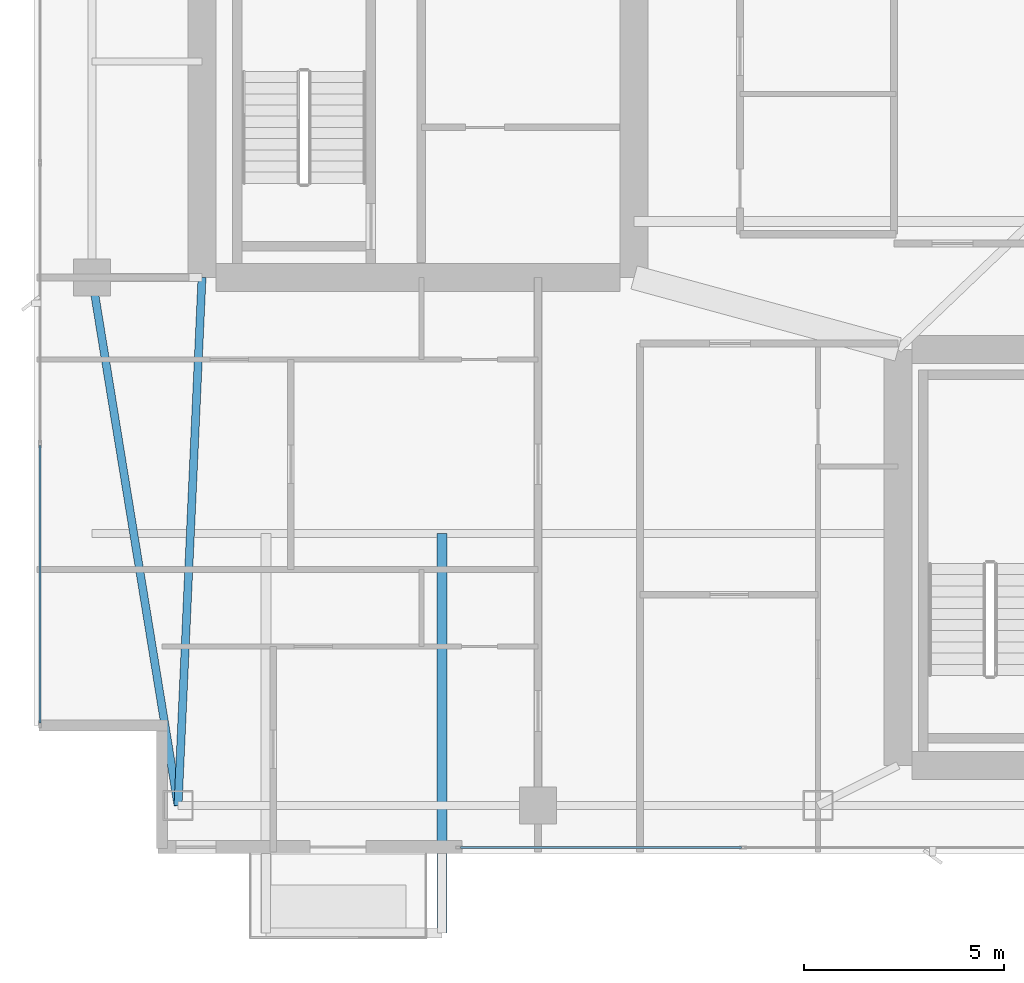
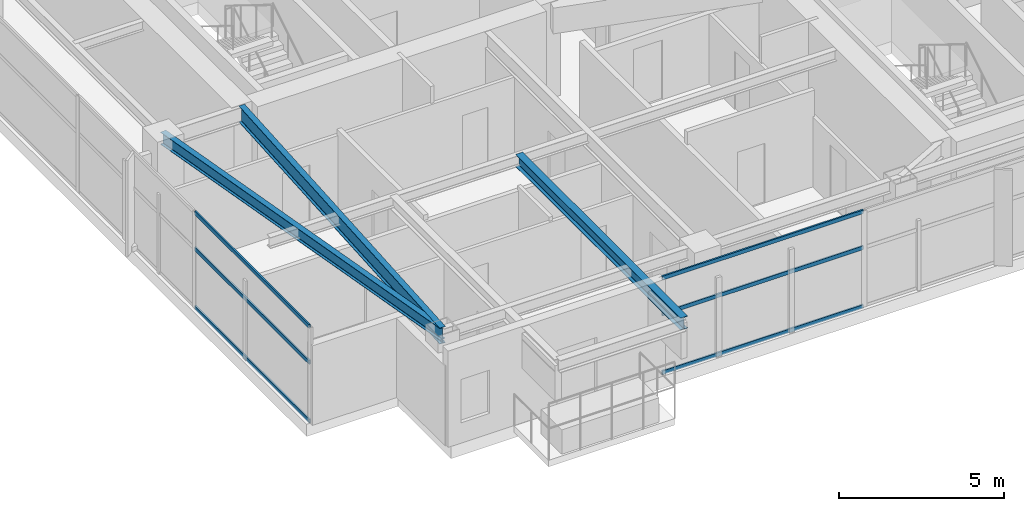
# One storey, part 3 of 28: 6 members, 3 beams, 2 elements without a shape of their own.
"""IFC4 building model written with IfcOpenShell, lengths in metres."""

import ifcopenshell
import ifcopenshell.guid

model = None  # the IFC model being written
_history = None  # IfcOwnerHistory: only IFC2X3 demands one
_inside = {}  # id of a spatial element -> (the spatial element, [elements in it])
_under = {}  # id of a project, library or spatial element -> (it, [spatial elements below it])
_declared = {}  # id of a project -> (the project, [libraries it declares])
_typed = {}  # id of a type object -> (the type object, [elements of that type])
_made_of = {}  # id of a material, layer set ... -> (it, [elements and type objects made of it])


def new_model(schema):
    """Start an empty IFC model of exactly this schema.

    Asked for "IFC4X3", IfcOpenShell would pick the latest addendum, in which some entities
    have other attributes; the version numbers below select the first issue.
    IFC2X3 requires an IfcOwnerHistory on every rooted entity: one is made here for all.
    """
    global model, _history
    if schema == "IFC4X3":
        model = ifcopenshell.file(schema_version=(4, 3, 0, 0))
    else:
        model = ifcopenshell.file(schema=schema)
    _inside.clear()
    _under.clear()
    _declared.clear()
    _typed.clear()
    _made_of.clear()
    _history = None
    if model.schema == "IFC2X3":
        org = make("IfcOrganization", Name="unknown")
        user = make(
            "IfcPersonAndOrganization",
            ThePerson=make("IfcPerson", FamilyName="unknown"),
            TheOrganization=org,
        )
        app = make(
            "IfcApplication",
            ApplicationDeveloper=org,
            Version="unknown",
            ApplicationFullName="unknown",
            ApplicationIdentifier="unknown",
        )
        _history = make(
            "IfcOwnerHistory",
            OwningUser=user,
            OwningApplication=app,
            ChangeAction="ADDED",
            CreationDate=0,
        )
    return model


def make(cls, **values):
    """One entity of the class cls with the attributes given. An attribute that is None is left unset."""
    return model.create_entity(
        cls, **{name: value for name, value in values.items() if value is not None}
    )


def rooted(cls, **values):
    """An entity with a GlobalId (a new one), such as an element, a storey or a relation."""
    return make(cls, GlobalId=ifcopenshell.guid.new(), OwnerHistory=_history, **values)


def si_unit(unit_type, name, prefix=None):
    """IfcSIUnit, for example si_unit("LENGTHUNIT", "METRE", prefix="MILLI")."""
    return make("IfcSIUnit", UnitType=unit_type, Prefix=prefix, Name=name)


def assignment(units):
    """IfcUnitAssignment: the units of a project."""
    return None if units is None else make("IfcUnitAssignment", Units=units)


def point(xyz):
    """IfcCartesianPoint."""
    return None if xyz is None else make("IfcCartesianPoint", Coordinates=xyz)


def direction(xyz):
    """IfcDirection."""
    return None if xyz is None else make("IfcDirection", DirectionRatios=xyz)


def frame(location, z_axis=None, x_axis=None):
    """IfcAxis2Placement3D, a coordinate frame: its origin and axes. An axis left out is left unset."""
    return make(
        "IfcAxis2Placement3D",
        Location=point(location),
        Axis=direction(z_axis),
        RefDirection=direction(x_axis),
    )


def frame_2d(location, x_axis=None):
    """IfcAxis2Placement2D, a coordinate frame in the plane: its origin and x axis."""
    return make(
        "IfcAxis2Placement2D", Location=point(location), RefDirection=direction(x_axis)
    )


def origin():
    """The frame at (0, 0, 0) with its axes left unset."""
    return frame((0.0, 0.0, 0.0))


def origin_2d():
    """The frame at (0, 0) in the plane with its x axis left unset."""
    return frame_2d((0.0, 0.0))


def place(relative_to, where):
    """IfcLocalPlacement: puts the frame where relative to a parent placement (None: the world)."""
    return make(
        "IfcLocalPlacement", PlacementRelTo=relative_to, RelativePlacement=where
    )


def context(
    kind, dimensions, precision=None, world=None, true_north=None, identifier=None
):
    """IfcGeometricRepresentationContext, for example the 3D "Model" context."""
    return make(
        "IfcGeometricRepresentationContext",
        ContextIdentifier=identifier,
        ContextType=kind,
        CoordinateSpaceDimension=dimensions,
        Precision=precision,
        WorldCoordinateSystem=world,
        TrueNorth=true_north,
    )


def subcontext(parent, identifier, kind, view, scale=None):
    """IfcGeometricRepresentationSubContext, for example "Body" below "Model"."""
    return make(
        "IfcGeometricRepresentationSubContext",
        ContextIdentifier=identifier,
        ContextType=kind,
        ParentContext=parent,
        TargetScale=scale,
        TargetView=view,
    )


def project(units=None, contexts=None):
    """IfcProject with its units and contexts."""
    return rooted(
        "IfcProject",
        Name="project",
        RepresentationContexts=contexts,
        UnitsInContext=assignment(units),
    )


def spatial(cls, under=None, at=None, **own):
    """A site, building, storey or space (cls), placed at a placement, below another one or the project."""
    s = rooted(cls, ObjectPlacement=at, **own)
    if under is not None:
        _under.setdefault(under.id(), (under, []))[1].append(s)
    return s


def profile(cls, at=None, kind="AREA", **sizes):
    """A parametric profile (cls). Its sizes go by their IFC names, for example OverallWidth=200.0."""
    return make(cls, ProfileType=kind, Position=at, **sizes)


def hollow_rectangle(**sizes):
    """IfcRectangleHollowProfileDef."""
    return profile("IfcRectangleHollowProfileDef", **sizes)


def i_section(**sizes):
    """IfcIShapeProfileDef."""
    return profile("IfcIShapeProfileDef", **sizes)


def extrude(swept, where, along, depth):
    """IfcExtrudedAreaSolid: the profile swept, set in the frame where, extruded along a direction by depth."""
    return make(
        "IfcExtrudedAreaSolid",
        SweptArea=swept,
        Position=where,
        ExtrudedDirection=direction(along),
        Depth=depth,
    )


def shape(context_of_items, identifier, shape_type, items):
    """IfcShapeRepresentation: the items that make up one representation, for example the "Body"."""
    return make(
        "IfcShapeRepresentation",
        ContextOfItems=context_of_items,
        RepresentationIdentifier=identifier,
        RepresentationType=shape_type,
        Items=items,
    )


def material(Name=None, Category=None):
    """IfcMaterial."""
    return make("IfcMaterial", Name=Name, Category=Category)


def layer(
    of_material, thickness, ventilated=None, Name=None, Category=None, Priority=None
):
    """IfcMaterialLayer: one layer of a wall or slab, of a material (None: an air gap)."""
    return make(
        "IfcMaterialLayer",
        Material=of_material,
        LayerThickness=thickness,
        IsVentilated=ventilated,
        Name=Name,
        Category=Category,
        Priority=Priority,
    )


def layer_set(layers, Name=None):
    """IfcMaterialLayerSet."""
    return make("IfcMaterialLayerSet", MaterialLayers=layers, LayerSetName=Name)


def material_profile(
    of_material, cross_section, Name=None, Category=None, Priority=None
):
    """IfcMaterialProfile: a cross section and its material."""
    return make(
        "IfcMaterialProfile",
        Name=Name,
        Material=of_material,
        Profile=cross_section,
        Priority=Priority,
        Category=Category,
    )


def profile_set(profiles, Name=None, composite=None):
    """IfcMaterialProfileSet."""
    return make(
        "IfcMaterialProfileSet",
        Name=Name,
        MaterialProfiles=profiles,
        CompositeProfile=composite,
    )


def made_of(thing, what):
    """Note that an element or type object is made of a material, layer set ...; save() writes the relation."""
    if what is not None:
        _made_of.setdefault(what.id(), (what, []))[1].append(thing)
    return thing


def type_object(cls, material=None, **own):
    """A type object (cls), such as IfcWallType, which elements share."""
    return made_of(rooted(cls, **own), material)


def element(
    cls,
    number,
    at=None,
    inside=None,
    cuts=None,
    type_object=None,
    material=None,
    context=None,
    identifier="Body",
    shape_type=None,
    held_by="IfcProductDefinitionShape",
    body=None,
    shapes=None,
    **own,
):
    """One element of the class cls, such as IfcWall. Its Tag is "e" and its number.

    at: its placement. inside: the storey or other place that contains it. cuts: it is an
    opening in that element (IfcRelVoidsElement). A single representation is given by context,
    identifier, shape_type and body (its items); several are given by shapes. held_by: the class
    of the entity that holds the representations. save() writes the other relations.
    """
    e = rooted(cls, Tag="e%d" % number, ObjectPlacement=at, **own)
    if body is not None:
        shapes = [shape(context, identifier, shape_type, body)]
    if shapes is not None:
        e.Representation = make(held_by, Representations=shapes)
    if inside is not None:
        _inside.setdefault(inside.id(), (inside, []))[1].append(e)
    if cuts is not None:
        rooted(
            "IfcRelVoidsElement", RelatingBuildingElement=cuts, RelatedOpeningElement=e
        )
    if type_object is not None:
        _typed.setdefault(type_object.id(), (type_object, []))[1].append(e)
    return made_of(e, material)


def aggregate(whole, parts):
    """IfcRelAggregates: a whole, such as a stair, and the parts it consists of."""
    return rooted("IfcRelAggregates", RelatingObject=whole, RelatedObjects=parts)


def save(model, path):
    """Write the relations noted so far, then the file.

    IfcRelAggregates (storeys below a building ...), IfcRelContainedInSpatialStructure (elements
    in a storey), IfcRelDefinesByType, IfcRelAssociatesMaterial and IfcRelDeclares: one each for
    every whole, place, type object, material and project.
    """
    for whole, parts in _under.values():
        aggregate(whole, parts)
    for where, things in _inside.values():
        rooted(
            "IfcRelContainedInSpatialStructure",
            RelatedElements=things,
            RelatingStructure=where,
        )
    for kind, things in _typed.values():
        rooted("IfcRelDefinesByType", RelatedObjects=things, RelatingType=kind)
    for what, things in _made_of.values():
        rooted("IfcRelAssociatesMaterial", RelatedObjects=things, RelatingMaterial=what)
    for by, libraries in _declared.values():
        rooted("IfcRelDeclares", RelatingContext=by, RelatedDefinitions=libraries)
    model.write(path)


model = new_model("IFC4")

# Units and contexts
model_context = context("Model", 3, precision=1e-05, world=origin(), true_north=direction((0.0, 1.0)))
body_context = subcontext(model_context, "Body", "Model", "MODEL_VIEW")
ifc_project = project(units=[si_unit("LENGTHUNIT", "METRE"), si_unit("AREAUNIT", "SQUARE_METRE"), si_unit("VOLUMEUNIT", "CUBIC_METRE"), si_unit("PLANEANGLEUNIT", "RADIAN"), si_unit("MASSUNIT", "GRAM", prefix="KILO")], contexts=[model_context])

# Site, building, storey
site_placement = place(None, origin())
site = spatial("IfcSite", under=ifc_project, at=site_placement, CompositionType="ELEMENT")
building_placement = place(site_placement, origin())
building = spatial("IfcBuilding", under=site, at=building_placement, Name="Calvorn Quay Hotel", CompositionType="ELEMENT")
storey_placement = place(building_placement, frame((0.0, 0.0, 219.300048828125)))
storey = spatial("IfcBuildingStorey", under=building, at=storey_placement, Name="L54", CompositionType="ELEMENT", Elevation=219.300048828125)

# Beams
ifc_material_1 = material(Name="Steel Q355B", Category="steel")
ifc_material_profile_1 = material_profile(ifc_material_1, i_section(OverallWidth=0.25, OverallDepth=0.449951171875, WebThickness=0.011962890625, FlangeThickness=0.01611328125, FilletRadius=0.01611328125, at=origin_2d()), Name="HN450x250x12x16")
ifc_profile_set_1 = profile_set([ifc_material_profile_1], Name="Steel Q355B")
beam_type_1 = type_object("IfcBeamType", Name="BM-CANT-BALC", PredefinedType="BEAM", material=ifc_profile_set_1)
beam_1_placement = place(storey_placement, frame((10.199951171875, 10.39990234375, 3.31494140625), z_axis=(0.0, -1.0, 0.0), x_axis=(1.0, 0.0, 0.0)))
element("IfcBeam", 1, at=beam_1_placement, inside=storey, type_object=beam_type_1, Name="Cantilever Balcony Beam BCB-L55-2B", PredefinedType="BEAM", context=body_context, shape_type="SweptSolid", body=[
    extrude(i_section(OverallWidth=0.25, OverallDepth=0.449951171875, WebThickness=0.011962890625, FlangeThickness=0.01611328125, FilletRadius=0.01611328125, at=origin_2d()), origin(), (0.0, 0.0, 1.0), 9.989990234375),
])
ifc_material_2 = material(Name="Steel Q355B", Category="steel")
ifc_material_profile_2 = material_profile(ifc_material_2, i_section(OverallWidth=0.199951171875, OverallDepth=0.60009765625, WebThickness=0.010986328125, FlangeThickness=0.01708984375, FilletRadius=0.01806640625, at=origin_2d()), Name="HN600x200x11x17")
ifc_profile_set_2 = profile_set([ifc_material_profile_2], Name="Steel Q355B")
beam_type_2 = type_object("IfcBeamType", Name="BM-GIRD-TYP", PredefinedType="BEAM", material=ifc_profile_set_2)
beam_2_placement = place(storey_placement, frame((3.60009765625, 3.60009765625, 3.239990234375), z_axis=(0.045396765494, 0.998969035397, 0.0), x_axis=(-0.998969035397, 0.045396765494, 0.0)))
element("IfcBeam", 2, at=beam_2_placement, inside=storey, type_object=beam_type_2, Name="Beam BG-L54-W0", PredefinedType="BEAM", context=body_context, shape_type="SweptSolid", body=[
    extrude(i_section(OverallWidth=0.199951171875, OverallDepth=0.60009765625, WebThickness=0.010986328125, FlangeThickness=0.01708984375, FilletRadius=0.01806640625, at=origin_2d()), origin(), (0.0, 0.0, 1.0), 13.213623046875),
])
ifc_material_3 = material(Name="Steel Q355B", Category="steel")
ifc_material_profile_3 = material_profile(ifc_material_3, i_section(OverallWidth=0.199951171875, OverallDepth=0.449951171875, WebThickness=0.009033203125, FlangeThickness=0.013916015625, FilletRadius=0.01611328125, at=origin_2d()), Name="HN450x200x9x14")
ifc_profile_set_3 = profile_set([ifc_material_profile_3], Name="Steel Q355B")
beam_type_3 = type_object("IfcBeamType", Name="BM-SPANDREL-Z3", PredefinedType="SPANDREL", material=ifc_profile_set_3)
beam_3_placement = place(storey_placement, frame((3.60009765625, 3.60009765625, 3.31494140625), z_axis=(-0.16077155054, 0.986991645627, 0.0), x_axis=(-0.986991645627, -0.16077155054, 0.0)))
element("IfcBeam", 3, at=beam_3_placement, inside=storey, type_object=beam_type_3, Name="Beam BSP-L54-W1", PredefinedType="SPANDREL", context=body_context, shape_type="SweptSolid", body=[
    extrude(i_section(OverallWidth=0.199951171875, OverallDepth=0.449951171875, WebThickness=0.009033203125, FlangeThickness=0.013916015625, FilletRadius=0.01611328125, at=origin_2d()), origin(), (0.0, 0.0, 1.0), 13.3740234375),
])

# Curtain wall, members
ifc_material_4 = material(Name="Champagne Bronze Anodised Aluminium and Low-E Glass", Category="aluminium")
ifc_layer = layer(ifc_material_4, 0.219970703125)
ifc_layer_set = layer_set([ifc_layer], Name="CW-SYS-Z3")
curtain_wall_type = type_object("IfcCurtainWallType", Name="CW-SYS-Z3", PredefinedType="NOTDEFINED", material=ifc_layer_set)
curtain_wall_1_placement = place(storey_placement, origin())
curtain_wall_1 = element("IfcCurtainWall", 4, at=curtain_wall_1_placement, inside=storey, type_object=curtain_wall_type, Name="Tower West Curtain Wall (L54)", PredefinedType="NOTDEFINED")
ifc_material_5 = material(Name="Champagne Bronze Anodised Aluminium 6063-T6", Category="aluminium")
ifc_material_profile_4 = material_profile(ifc_material_5, hollow_rectangle(XDim=0.05810546875, YDim=0.139892578125, WallThickness=0.003173828125, at=origin_2d()), Name="ALU-T140x58x3.2")
ifc_profile_set_4 = profile_set([ifc_material_profile_4], Name="Champagne Bronze Anodised Aluminium 6063-T6")
member_type = type_object("IfcMemberType", Name="CW-SYS-Z3-TRN", PredefinedType="USERDEFINED", material=ifc_profile_set_4)
member_1_placement = place(storey_placement, frame((0.14990234375, 5.659912109375, 0.030029296875), z_axis=(0.0, 1.0, 0.0), x_axis=(-1.0, 0.0, 0.0)))
member_1 = element("IfcMember", 5, at=member_1_placement, type_object=member_type, Name="CW-L54-W transom 1.1", ObjectType="TRANSOM", PredefinedType="USERDEFINED", context=body_context, shape_type="SweptSolid", body=[
    extrude(hollow_rectangle(XDim=0.05810546875, YDim=0.139892578125, WallThickness=0.003173828125, at=origin_2d()), origin(), (0.0, 0.0, 1.0), 6.943359375),
])
member_2_placement = place(storey_placement, frame((0.14990234375, 5.659912109375, 2.199951171875), z_axis=(0.0, 1.0, 0.0), x_axis=(-1.0, 0.0, 0.0)))
member_2 = element("IfcMember", 6, at=member_2_placement, type_object=member_type, Name="CW-L54-W transom 1.2", ObjectType="TRANSOM", PredefinedType="USERDEFINED", context=body_context, shape_type="SweptSolid", body=[
    extrude(hollow_rectangle(XDim=0.05810546875, YDim=0.139892578125, WallThickness=0.003173828125, at=origin_2d()), origin(), (0.0, 0.0, 1.0), 6.943359375),
])
member_3_placement = place(storey_placement, frame((0.14990234375, 5.659912109375, 3.530029296875), z_axis=(0.0, 1.0, 0.0), x_axis=(-1.0, 0.0, 0.0)))
member_3 = element("IfcMember", 7, at=member_3_placement, type_object=member_type, Name="CW-L54-W transom 1.3", ObjectType="TRANSOM", PredefinedType="USERDEFINED", context=body_context, shape_type="SweptSolid", body=[
    extrude(hollow_rectangle(XDim=0.05810546875, YDim=0.139892578125, WallThickness=0.003173828125, at=origin_2d()), origin(), (0.0, 0.0, 1.0), 6.943359375),
])
aggregate(curtain_wall_1, [member_1, member_2, member_3])

curtain_wall_2_placement = place(storey_placement, origin())
curtain_wall_2 = element("IfcCurtainWall", 8, at=curtain_wall_2_placement, inside=storey, type_object=curtain_wall_type, Name="Tower South Waterfront Curtain Wall (L54)", PredefinedType="NOTDEFINED")
member_4_placement = place(storey_placement, frame((10.659912109375, 2.550048828125, 0.030029296875), z_axis=(1.0, 0.0, 0.0), x_axis=(0.0, 1.0, 0.0)))
member_4 = element("IfcMember", 9, at=member_4_placement, type_object=member_type, Name="CW-L54-S transom 1.1", ObjectType="TRANSOM", PredefinedType="USERDEFINED", context=body_context, shape_type="SweptSolid", body=[
    extrude(hollow_rectangle(XDim=0.05810546875, YDim=0.139892578125, WallThickness=0.003173828125, at=origin_2d()), origin(), (0.0, 0.0, 1.0), 7.030029296875),
])
member_5_placement = place(storey_placement, frame((10.659912109375, 2.550048828125, 2.199951171875), z_axis=(1.0, 0.0, 0.0), x_axis=(0.0, 1.0, 0.0)))
member_5 = element("IfcMember", 10, at=member_5_placement, type_object=member_type, Name="CW-L54-S transom 1.2", ObjectType="TRANSOM", PredefinedType="USERDEFINED", context=body_context, shape_type="SweptSolid", body=[
    extrude(hollow_rectangle(XDim=0.05810546875, YDim=0.139892578125, WallThickness=0.003173828125, at=origin_2d()), origin(), (0.0, 0.0, 1.0), 7.030029296875),
])
member_6_placement = place(storey_placement, frame((10.659912109375, 2.550048828125, 3.530029296875), z_axis=(1.0, 0.0, 0.0), x_axis=(0.0, 1.0, 0.0)))
member_6 = element("IfcMember", 11, at=member_6_placement, type_object=member_type, Name="CW-L54-S transom 1.3", ObjectType="TRANSOM", PredefinedType="USERDEFINED", context=body_context, shape_type="SweptSolid", body=[
    extrude(hollow_rectangle(XDim=0.05810546875, YDim=0.139892578125, WallThickness=0.003173828125, at=origin_2d()), origin(), (0.0, 0.0, 1.0), 7.030029296875),
])
aggregate(curtain_wall_2, [member_4, member_5, member_6])

save(model, "model.ifc")
